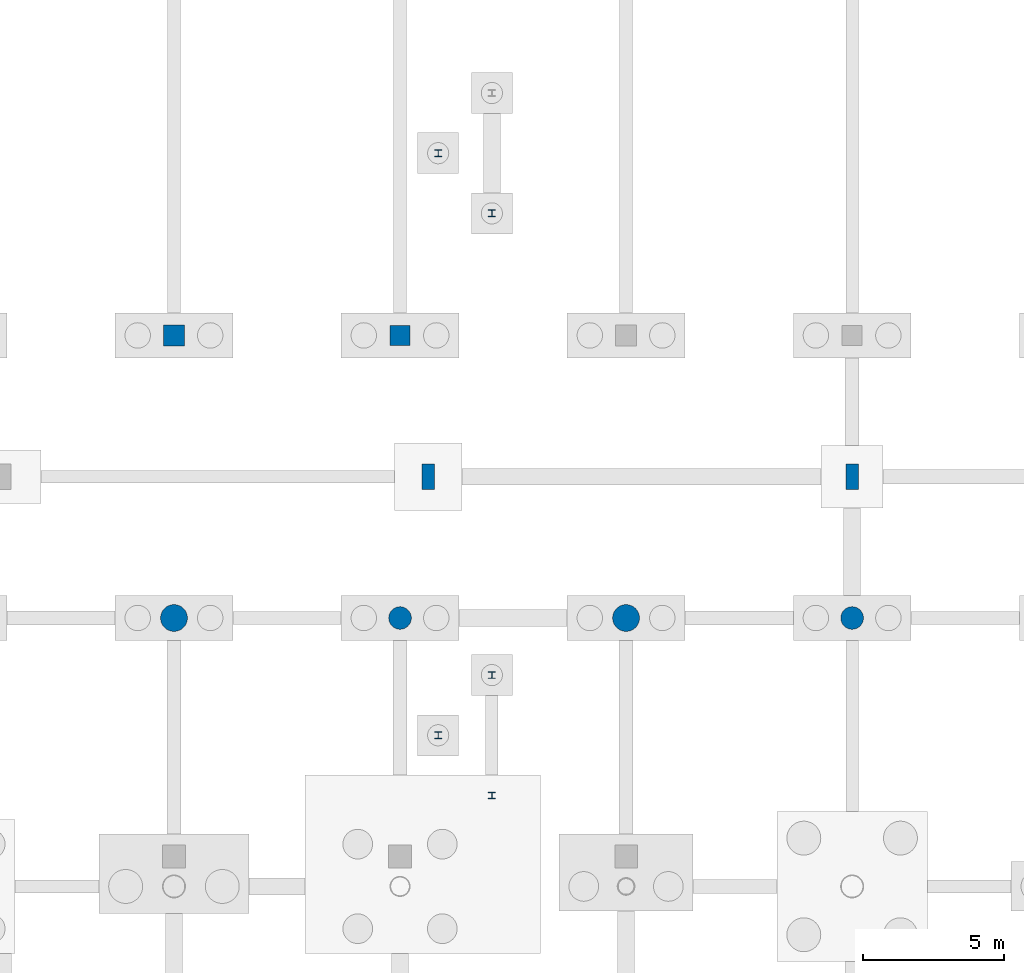
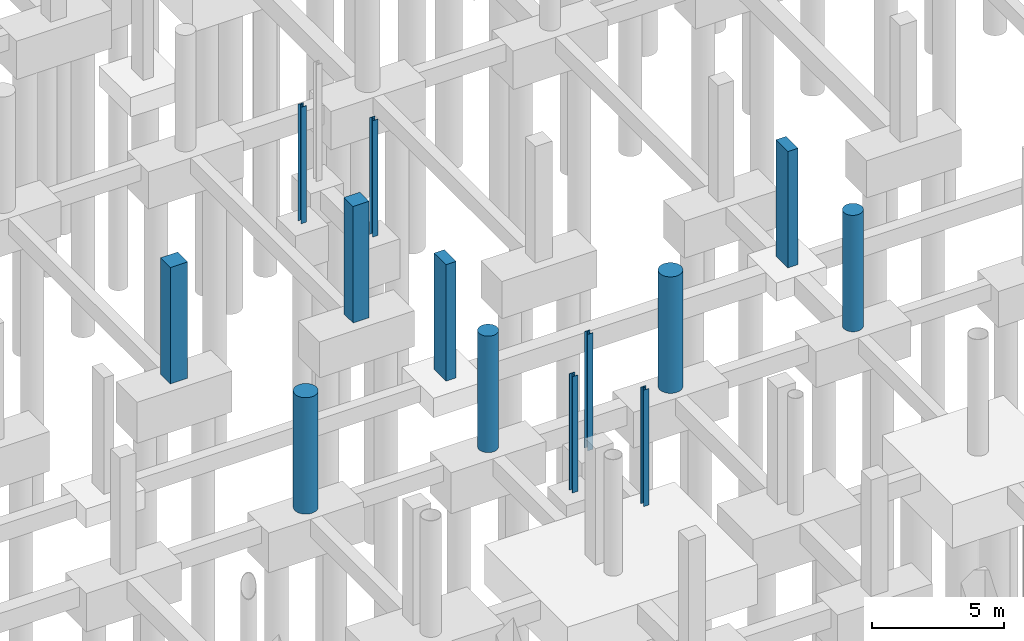
# One storey, part 40 of 65: 13 columns.
"""IFC4 building model written with IfcOpenShell, lengths in metres."""

import ifcopenshell
import ifcopenshell.guid

model = None  # the IFC model being written
_history = None  # IfcOwnerHistory: only IFC2X3 demands one
_inside = {}  # id of a spatial element -> (the spatial element, [elements in it])
_under = {}  # id of a project, library or spatial element -> (it, [spatial elements below it])
_declared = {}  # id of a project -> (the project, [libraries it declares])
_typed = {}  # id of a type object -> (the type object, [elements of that type])
_made_of = {}  # id of a material, layer set ... -> (it, [elements and type objects made of it])


def new_model(schema):
    """Start an empty IFC model of exactly this schema.

    Asked for "IFC4X3", IfcOpenShell would pick the latest addendum, in which some entities
    have other attributes; the version numbers below select the first issue.
    IFC2X3 requires an IfcOwnerHistory on every rooted entity: one is made here for all.
    """
    global model, _history
    if schema == "IFC4X3":
        model = ifcopenshell.file(schema_version=(4, 3, 0, 0))
    else:
        model = ifcopenshell.file(schema=schema)
    _inside.clear()
    _under.clear()
    _declared.clear()
    _typed.clear()
    _made_of.clear()
    _history = None
    if model.schema == "IFC2X3":
        org = make("IfcOrganization", Name="unknown")
        user = make(
            "IfcPersonAndOrganization",
            ThePerson=make("IfcPerson", FamilyName="unknown"),
            TheOrganization=org,
        )
        app = make(
            "IfcApplication",
            ApplicationDeveloper=org,
            Version="unknown",
            ApplicationFullName="unknown",
            ApplicationIdentifier="unknown",
        )
        _history = make(
            "IfcOwnerHistory",
            OwningUser=user,
            OwningApplication=app,
            ChangeAction="ADDED",
            CreationDate=0,
        )
    return model


def make(cls, **values):
    """One entity of the class cls with the attributes given. An attribute that is None is left unset."""
    return model.create_entity(
        cls, **{name: value for name, value in values.items() if value is not None}
    )


def rooted(cls, **values):
    """An entity with a GlobalId (a new one), such as an element, a storey or a relation."""
    return make(cls, GlobalId=ifcopenshell.guid.new(), OwnerHistory=_history, **values)


def si_unit(unit_type, name, prefix=None):
    """IfcSIUnit, for example si_unit("LENGTHUNIT", "METRE", prefix="MILLI")."""
    return make("IfcSIUnit", UnitType=unit_type, Prefix=prefix, Name=name)


def assignment(units):
    """IfcUnitAssignment: the units of a project."""
    return None if units is None else make("IfcUnitAssignment", Units=units)


def point(xyz):
    """IfcCartesianPoint."""
    return None if xyz is None else make("IfcCartesianPoint", Coordinates=xyz)


def direction(xyz):
    """IfcDirection."""
    return None if xyz is None else make("IfcDirection", DirectionRatios=xyz)


def frame(location, z_axis=None, x_axis=None):
    """IfcAxis2Placement3D, a coordinate frame: its origin and axes. An axis left out is left unset."""
    return make(
        "IfcAxis2Placement3D",
        Location=point(location),
        Axis=direction(z_axis),
        RefDirection=direction(x_axis),
    )


def frame_2d(location, x_axis=None):
    """IfcAxis2Placement2D, a coordinate frame in the plane: its origin and x axis."""
    return make(
        "IfcAxis2Placement2D", Location=point(location), RefDirection=direction(x_axis)
    )


def origin():
    """The frame at (0, 0, 0) with its axes left unset."""
    return frame((0.0, 0.0, 0.0))


def origin_2d():
    """The frame at (0, 0) in the plane with its x axis left unset."""
    return frame_2d((0.0, 0.0))


def place(relative_to, where):
    """IfcLocalPlacement: puts the frame where relative to a parent placement (None: the world)."""
    return make(
        "IfcLocalPlacement", PlacementRelTo=relative_to, RelativePlacement=where
    )


def context(
    kind, dimensions, precision=None, world=None, true_north=None, identifier=None
):
    """IfcGeometricRepresentationContext, for example the 3D "Model" context."""
    return make(
        "IfcGeometricRepresentationContext",
        ContextIdentifier=identifier,
        ContextType=kind,
        CoordinateSpaceDimension=dimensions,
        Precision=precision,
        WorldCoordinateSystem=world,
        TrueNorth=true_north,
    )


def subcontext(parent, identifier, kind, view, scale=None):
    """IfcGeometricRepresentationSubContext, for example "Body" below "Model"."""
    return make(
        "IfcGeometricRepresentationSubContext",
        ContextIdentifier=identifier,
        ContextType=kind,
        ParentContext=parent,
        TargetScale=scale,
        TargetView=view,
    )


def project(units=None, contexts=None):
    """IfcProject with its units and contexts."""
    return rooted(
        "IfcProject",
        Name="project",
        RepresentationContexts=contexts,
        UnitsInContext=assignment(units),
    )


def spatial(cls, under=None, at=None, **own):
    """A site, building, storey or space (cls), placed at a placement, below another one or the project."""
    s = rooted(cls, ObjectPlacement=at, **own)
    if under is not None:
        _under.setdefault(under.id(), (under, []))[1].append(s)
    return s


def profile(cls, at=None, kind="AREA", **sizes):
    """A parametric profile (cls). Its sizes go by their IFC names, for example OverallWidth=200.0."""
    return make(cls, ProfileType=kind, Position=at, **sizes)


def rectangle(**sizes):
    """IfcRectangleProfileDef."""
    return profile("IfcRectangleProfileDef", **sizes)


def circle(**sizes):
    """IfcCircleProfileDef."""
    return profile("IfcCircleProfileDef", **sizes)


def i_section(**sizes):
    """IfcIShapeProfileDef."""
    return profile("IfcIShapeProfileDef", **sizes)


def extrude(swept, where, along, depth):
    """IfcExtrudedAreaSolid: the profile swept, set in the frame where, extruded along a direction by depth."""
    return make(
        "IfcExtrudedAreaSolid",
        SweptArea=swept,
        Position=where,
        ExtrudedDirection=direction(along),
        Depth=depth,
    )


def shape(context_of_items, identifier, shape_type, items):
    """IfcShapeRepresentation: the items that make up one representation, for example the "Body"."""
    return make(
        "IfcShapeRepresentation",
        ContextOfItems=context_of_items,
        RepresentationIdentifier=identifier,
        RepresentationType=shape_type,
        Items=items,
    )


def material(Name=None, Category=None):
    """IfcMaterial."""
    return make("IfcMaterial", Name=Name, Category=Category)


def material_profile(
    of_material, cross_section, Name=None, Category=None, Priority=None
):
    """IfcMaterialProfile: a cross section and its material."""
    return make(
        "IfcMaterialProfile",
        Name=Name,
        Material=of_material,
        Profile=cross_section,
        Priority=Priority,
        Category=Category,
    )


def profile_set(profiles, Name=None, composite=None):
    """IfcMaterialProfileSet."""
    return make(
        "IfcMaterialProfileSet",
        Name=Name,
        MaterialProfiles=profiles,
        CompositeProfile=composite,
    )


def made_of(thing, what):
    """Note that an element or type object is made of a material, layer set ...; save() writes the relation."""
    if what is not None:
        _made_of.setdefault(what.id(), (what, []))[1].append(thing)
    return thing


def type_object(cls, material=None, **own):
    """A type object (cls), such as IfcWallType, which elements share."""
    return made_of(rooted(cls, **own), material)


def element(
    cls,
    number,
    at=None,
    inside=None,
    cuts=None,
    type_object=None,
    material=None,
    context=None,
    identifier="Body",
    shape_type=None,
    held_by="IfcProductDefinitionShape",
    body=None,
    shapes=None,
    **own,
):
    """One element of the class cls, such as IfcWall. Its Tag is "e" and its number.

    at: its placement. inside: the storey or other place that contains it. cuts: it is an
    opening in that element (IfcRelVoidsElement). A single representation is given by context,
    identifier, shape_type and body (its items); several are given by shapes. held_by: the class
    of the entity that holds the representations. save() writes the other relations.
    """
    e = rooted(cls, Tag="e%d" % number, ObjectPlacement=at, **own)
    if body is not None:
        shapes = [shape(context, identifier, shape_type, body)]
    if shapes is not None:
        e.Representation = make(held_by, Representations=shapes)
    if inside is not None:
        _inside.setdefault(inside.id(), (inside, []))[1].append(e)
    if cuts is not None:
        rooted(
            "IfcRelVoidsElement", RelatingBuildingElement=cuts, RelatedOpeningElement=e
        )
    if type_object is not None:
        _typed.setdefault(type_object.id(), (type_object, []))[1].append(e)
    return made_of(e, material)


def aggregate(whole, parts):
    """IfcRelAggregates: a whole, such as a stair, and the parts it consists of."""
    return rooted("IfcRelAggregates", RelatingObject=whole, RelatedObjects=parts)


def save(model, path):
    """Write the relations noted so far, then the file.

    IfcRelAggregates (storeys below a building ...), IfcRelContainedInSpatialStructure (elements
    in a storey), IfcRelDefinesByType, IfcRelAssociatesMaterial and IfcRelDeclares: one each for
    every whole, place, type object, material and project.
    """
    for whole, parts in _under.values():
        aggregate(whole, parts)
    for where, things in _inside.values():
        rooted(
            "IfcRelContainedInSpatialStructure",
            RelatedElements=things,
            RelatingStructure=where,
        )
    for kind, things in _typed.values():
        rooted("IfcRelDefinesByType", RelatedObjects=things, RelatingType=kind)
    for what, things in _made_of.values():
        rooted("IfcRelAssociatesMaterial", RelatedObjects=things, RelatingMaterial=what)
    for by, libraries in _declared.values():
        rooted("IfcRelDeclares", RelatingContext=by, RelatedDefinitions=libraries)
    model.write(path)


model = new_model("IFC4")

# Units and contexts
model_context = context("Model", 3, precision=1e-05, world=origin(), true_north=direction((0.0, 1.0)))
body_context = subcontext(model_context, "Body", "Model", "MODEL_VIEW")
ifc_project = project(units=[si_unit("LENGTHUNIT", "METRE"), si_unit("AREAUNIT", "SQUARE_METRE"), si_unit("VOLUMEUNIT", "CUBIC_METRE"), si_unit("PLANEANGLEUNIT", "RADIAN"), si_unit("MASSUNIT", "GRAM", prefix="KILO")], contexts=[model_context])

# Site, building, storey
site_placement = place(None, origin())
site = spatial("IfcSite", under=ifc_project, at=site_placement, CompositionType="ELEMENT")
building_placement = place(site_placement, origin())
building = spatial("IfcBuilding", under=site, at=building_placement, Name="Khorjan Park Terminus", CompositionType="ELEMENT")
storey_placement = place(building_placement, frame((0.0, 0.0, -5.4)))
storey = spatial("IfcBuildingStorey", under=building, at=storey_placement, Name="B1", CompositionType="ELEMENT", Elevation=-5.4)

# Columns
ifc_material_1 = material(Name="Steel S355", Category="steel")
ifc_material_profile_1 = material_profile(ifc_material_1, i_section(OverallWidth=0.24, OverallDepth=0.24, WebThickness=0.01, FlangeThickness=0.017, FilletRadius=0.021, at=origin_2d()), Name="HEB 240")
ifc_profile_set_1 = profile_set([ifc_material_profile_1], Name="Steel S355")
column_type_1 = type_object("IfcColumnType", Name="COL-HB240", PredefinedType="COLUMN", material=ifc_profile_set_1)
for number, where, z_axis, x_axis, name in (
    (1, (67.25, 105.22, 0.0), (0.0, 0.0, 1.0), (1.0, 0.0, 0.0), "Structural column SC-H24 (B1 #990)"),
    (2, (67.25, 109.48, 0.0), (0.0, 0.0, 1.0), (1.0, 0.0, 0.0), "Structural column SC-H24 (B1 #992)"),
    (3, (65.35, 107.35, 0.0), (0.0, 0.0, 1.0), (1.0, 0.0, 0.0), "Structural column SC-H24 (B1 #994)"),
    (4, (67.25, 125.82, 0.0), (0.0, 0.0, 1.0), (1.0, 0.0, 0.0), "Structural column SC-H24 (B1 #1002)"),
    (5, (65.35, 127.95, 0.0), (0.0, 0.0, 1.0), (1.0, 0.0, 0.0), "Structural column SC-H24 (B1 #1006)"),
):
    element("IfcColumn", number, at=place(storey_placement, frame(where, z_axis=z_axis, x_axis=x_axis)), inside=storey, type_object=column_type_1, Name=name, PredefinedType="COLUMN", context=body_context, shape_type="SweptSolid", body=[
        extrude(i_section(OverallWidth=0.24, OverallDepth=0.24, WebThickness=0.01, FlangeThickness=0.017, FilletRadius=0.021, at=origin_2d()), origin(), (0.0, 0.0, 1.0), 5.4),
    ])
ifc_material_2 = material(Name="Concrete C40/50", Category="concrete")
ifc_material_profile_2 = material_profile(ifc_material_2, rectangle(XDim=0.45, YDim=0.9, at=origin_2d()), Name="RC 450x900")
ifc_profile_set_2 = profile_set([ifc_material_profile_2], Name="Concrete C40/50")
column_type_2 = type_object("IfcColumnType", Name="COL-PIL900", PredefinedType="PILASTER", material=ifc_profile_set_2)
for number, where, z_axis, x_axis, name in (
    (6, (65.0, 116.5, 0.0), (0.0, 0.0, 1.0), (1.0, 0.0, 0.0), "Substructure track-bed pilaster CP-09 (5 B1)"),
    (7, (80.0, 116.5, 0.0), (0.0, 0.0, 1.0), (1.0, 0.0, 0.0), "Substructure track-bed pilaster CP-09 (6 B1)"),
):
    element("IfcColumn", number, at=place(storey_placement, frame(where, z_axis=z_axis, x_axis=x_axis)), inside=storey, type_object=column_type_2, Name=name, PredefinedType="PILASTER", context=body_context, shape_type="SweptSolid", body=[
        extrude(rectangle(XDim=0.45, YDim=0.9, at=origin_2d()), origin(), (0.0, 0.0, 1.0), 5.4),
    ])
ifc_material_profile_3 = material_profile(ifc_material_2, rectangle(XDim=0.7, YDim=0.7, at=origin_2d()), Name="RC 700x700")
ifc_profile_set_3 = profile_set([ifc_material_profile_3], Name="Concrete C40/50")
column_type_3 = type_object("IfcColumnType", Name="COL-RC700", PredefinedType="COLUMN", material=ifc_profile_set_3)
column_1_placement = place(storey_placement, frame((64.0, 121.5, 0.0), z_axis=(0.0, 0.0, 1.0), x_axis=(1.0, 0.0, 0.0)))
element("IfcColumn", 8, at=column_1_placement, inside=storey, type_object=column_type_3, Name="Structural column C-RC07 (B1 #97)", PredefinedType="COLUMN", context=body_context, shape_type="SweptSolid", body=[
    extrude(rectangle(XDim=0.7, YDim=0.7, at=origin_2d()), origin(), (0.0, 0.0, 1.0), 5.4),
])
ifc_material_profile_4 = material_profile(ifc_material_2, rectangle(XDim=0.75, YDim=0.75, at=origin_2d()), Name="RC 750x750")
ifc_profile_set_4 = profile_set([ifc_material_profile_4], Name="Concrete C40/50")
column_type_4 = type_object("IfcColumnType", Name="COL-RC750", PredefinedType="COLUMN", material=ifc_profile_set_4)
column_2_placement = place(storey_placement, frame((56.0, 121.5, 0.0), z_axis=(0.0, 0.0, 1.0), x_axis=(1.0, 0.0, 0.0)))
element("IfcColumn", 9, at=column_2_placement, inside=storey, type_object=column_type_4, Name="Structural column C-RC75 (B1 #83)", PredefinedType="COLUMN", context=body_context, shape_type="SweptSolid", body=[
    extrude(rectangle(XDim=0.75, YDim=0.75, at=origin_2d()), origin(), (0.0, 0.0, 1.0), 5.4),
])
ifc_material_profile_5 = material_profile(ifc_material_2, circle(Radius=0.4, at=origin_2d()), Name="RC D800")
ifc_profile_set_5 = profile_set([ifc_material_profile_5], Name="Concrete C40/50")
column_type_5 = type_object("IfcColumnType", Name="COL-RD800", PredefinedType="COLUMN", material=ifc_profile_set_5)
for number, where, z_axis, x_axis, name in (
    (10, (64.0, 111.5, 0.0), (0.0, 0.0, 1.0), (1.0, 0.0, 0.0), "Structural column C-RD80 (B1 #95)"),
    (11, (80.0, 111.5, 0.0), (0.0, 0.0, 1.0), (1.0, 0.0, 0.0), "Structural column C-RD80 (B1 #119)"),
):
    element("IfcColumn", number, at=place(storey_placement, frame(where, z_axis=z_axis, x_axis=x_axis)), inside=storey, type_object=column_type_5, Name=name, PredefinedType="COLUMN", context=body_context, shape_type="SweptSolid", body=[
        extrude(circle(Radius=0.4, at=origin_2d()), origin(), (0.0, 0.0, 1.0), 5.4),
    ])
ifc_material_3 = material(Name="Concrete C50/60", Category="concrete")
ifc_material_profile_6 = material_profile(ifc_material_3, circle(Radius=0.475, at=origin_2d()), Name="RC D950")
ifc_profile_set_6 = profile_set([ifc_material_profile_6], Name="Concrete C50/60")
column_type_6 = type_object("IfcColumnType", Name="COL-RD950", PredefinedType="COLUMN", material=ifc_profile_set_6)
for number, where, z_axis, x_axis, name in (
    (12, (56.0, 111.5, 0.0), (0.0, 0.0, 1.0), (1.0, 0.0, 0.0), "Structural column C-RD95 (B1 #81)"),
    (13, (72.0, 111.5, 0.0), (0.0, 0.0, 1.0), (1.0, 0.0, 0.0), "Structural column C-RD95 (B1 #109)"),
):
    element("IfcColumn", number, at=place(storey_placement, frame(where, z_axis=z_axis, x_axis=x_axis)), inside=storey, type_object=column_type_6, Name=name, PredefinedType="COLUMN", context=body_context, shape_type="SweptSolid", body=[
        extrude(circle(Radius=0.475, at=origin_2d()), origin(), (0.0, 0.0, 1.0), 5.4),
    ])

save(model, "model.ifc")
